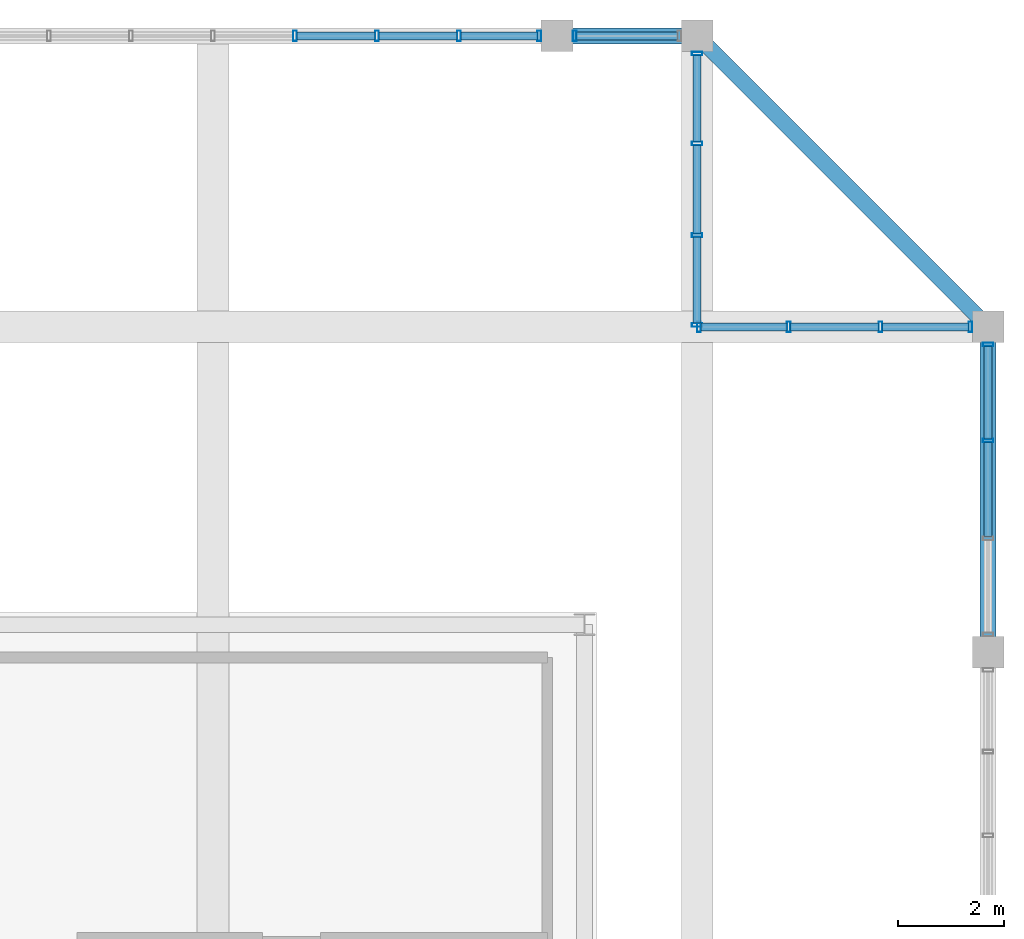
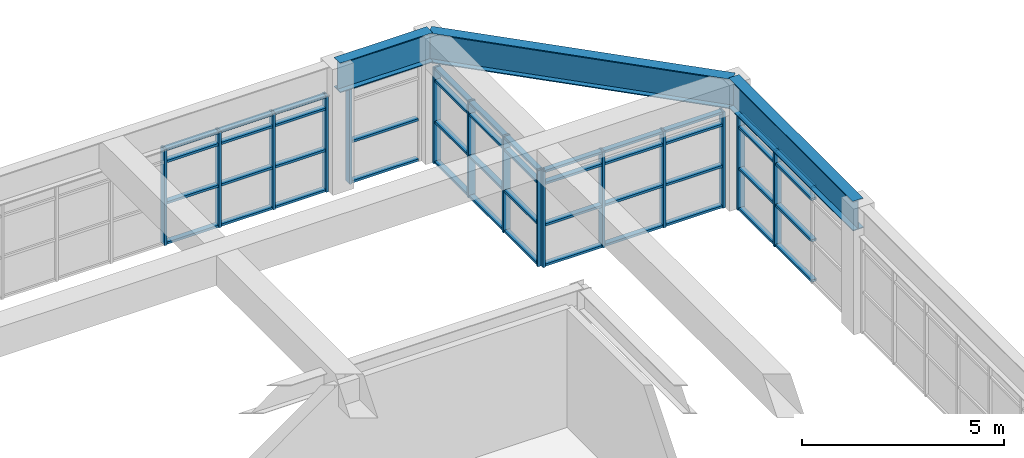
# One storey, part 21 of 28: 61 members, 3 beams, 5 elements without a shape of their own.
"""IFC4 building model written with IfcOpenShell, lengths in metres."""

import ifcopenshell
import ifcopenshell.guid

model = None  # the IFC model being written
_history = None  # IfcOwnerHistory: only IFC2X3 demands one
_inside = {}  # id of a spatial element -> (the spatial element, [elements in it])
_under = {}  # id of a project, library or spatial element -> (it, [spatial elements below it])
_declared = {}  # id of a project -> (the project, [libraries it declares])
_typed = {}  # id of a type object -> (the type object, [elements of that type])
_made_of = {}  # id of a material, layer set ... -> (it, [elements and type objects made of it])


def new_model(schema):
    """Start an empty IFC model of exactly this schema.

    Asked for "IFC4X3", IfcOpenShell would pick the latest addendum, in which some entities
    have other attributes; the version numbers below select the first issue.
    IFC2X3 requires an IfcOwnerHistory on every rooted entity: one is made here for all.
    """
    global model, _history
    if schema == "IFC4X3":
        model = ifcopenshell.file(schema_version=(4, 3, 0, 0))
    else:
        model = ifcopenshell.file(schema=schema)
    _inside.clear()
    _under.clear()
    _declared.clear()
    _typed.clear()
    _made_of.clear()
    _history = None
    if model.schema == "IFC2X3":
        org = make("IfcOrganization", Name="unknown")
        user = make(
            "IfcPersonAndOrganization",
            ThePerson=make("IfcPerson", FamilyName="unknown"),
            TheOrganization=org,
        )
        app = make(
            "IfcApplication",
            ApplicationDeveloper=org,
            Version="unknown",
            ApplicationFullName="unknown",
            ApplicationIdentifier="unknown",
        )
        _history = make(
            "IfcOwnerHistory",
            OwningUser=user,
            OwningApplication=app,
            ChangeAction="ADDED",
            CreationDate=0,
        )
    return model


def make(cls, **values):
    """One entity of the class cls with the attributes given. An attribute that is None is left unset."""
    return model.create_entity(
        cls, **{name: value for name, value in values.items() if value is not None}
    )


def rooted(cls, **values):
    """An entity with a GlobalId (a new one), such as an element, a storey or a relation."""
    return make(cls, GlobalId=ifcopenshell.guid.new(), OwnerHistory=_history, **values)


def si_unit(unit_type, name, prefix=None):
    """IfcSIUnit, for example si_unit("LENGTHUNIT", "METRE", prefix="MILLI")."""
    return make("IfcSIUnit", UnitType=unit_type, Prefix=prefix, Name=name)


def assignment(units):
    """IfcUnitAssignment: the units of a project."""
    return None if units is None else make("IfcUnitAssignment", Units=units)


def point(xyz):
    """IfcCartesianPoint."""
    return None if xyz is None else make("IfcCartesianPoint", Coordinates=xyz)


def direction(xyz):
    """IfcDirection."""
    return None if xyz is None else make("IfcDirection", DirectionRatios=xyz)


def frame(location, z_axis=None, x_axis=None):
    """IfcAxis2Placement3D, a coordinate frame: its origin and axes. An axis left out is left unset."""
    return make(
        "IfcAxis2Placement3D",
        Location=point(location),
        Axis=direction(z_axis),
        RefDirection=direction(x_axis),
    )


def frame_2d(location, x_axis=None):
    """IfcAxis2Placement2D, a coordinate frame in the plane: its origin and x axis."""
    return make(
        "IfcAxis2Placement2D", Location=point(location), RefDirection=direction(x_axis)
    )


def origin():
    """The frame at (0, 0, 0) with its axes left unset."""
    return frame((0.0, 0.0, 0.0))


def origin_2d():
    """The frame at (0, 0) in the plane with its x axis left unset."""
    return frame_2d((0.0, 0.0))


def place(relative_to, where):
    """IfcLocalPlacement: puts the frame where relative to a parent placement (None: the world)."""
    return make(
        "IfcLocalPlacement", PlacementRelTo=relative_to, RelativePlacement=where
    )


def context(
    kind, dimensions, precision=None, world=None, true_north=None, identifier=None
):
    """IfcGeometricRepresentationContext, for example the 3D "Model" context."""
    return make(
        "IfcGeometricRepresentationContext",
        ContextIdentifier=identifier,
        ContextType=kind,
        CoordinateSpaceDimension=dimensions,
        Precision=precision,
        WorldCoordinateSystem=world,
        TrueNorth=true_north,
    )


def subcontext(parent, identifier, kind, view, scale=None):
    """IfcGeometricRepresentationSubContext, for example "Body" below "Model"."""
    return make(
        "IfcGeometricRepresentationSubContext",
        ContextIdentifier=identifier,
        ContextType=kind,
        ParentContext=parent,
        TargetScale=scale,
        TargetView=view,
    )


def project(units=None, contexts=None):
    """IfcProject with its units and contexts."""
    return rooted(
        "IfcProject",
        Name="project",
        RepresentationContexts=contexts,
        UnitsInContext=assignment(units),
    )


def spatial(cls, under=None, at=None, **own):
    """A site, building, storey or space (cls), placed at a placement, below another one or the project."""
    s = rooted(cls, ObjectPlacement=at, **own)
    if under is not None:
        _under.setdefault(under.id(), (under, []))[1].append(s)
    return s


def profile(cls, at=None, kind="AREA", **sizes):
    """A parametric profile (cls). Its sizes go by their IFC names, for example OverallWidth=200.0."""
    return make(cls, ProfileType=kind, Position=at, **sizes)


def hollow_rectangle(**sizes):
    """IfcRectangleHollowProfileDef."""
    return profile("IfcRectangleHollowProfileDef", **sizes)


def i_section(**sizes):
    """IfcIShapeProfileDef."""
    return profile("IfcIShapeProfileDef", **sizes)


def extrude(swept, where, along, depth):
    """IfcExtrudedAreaSolid: the profile swept, set in the frame where, extruded along a direction by depth."""
    return make(
        "IfcExtrudedAreaSolid",
        SweptArea=swept,
        Position=where,
        ExtrudedDirection=direction(along),
        Depth=depth,
    )


def shape(context_of_items, identifier, shape_type, items):
    """IfcShapeRepresentation: the items that make up one representation, for example the "Body"."""
    return make(
        "IfcShapeRepresentation",
        ContextOfItems=context_of_items,
        RepresentationIdentifier=identifier,
        RepresentationType=shape_type,
        Items=items,
    )


def source(mapping_origin, context_of_items, identifier, shape_type, items):
    """IfcRepresentationMap: a shape defined once, which mapped items show again and again."""
    return make(
        "IfcRepresentationMap",
        MappingOrigin=mapping_origin,
        MappedRepresentation=shape(context_of_items, identifier, shape_type, items),
    )


def transform(
    local_origin,
    x_axis=None,
    y_axis=None,
    z_axis=None,
    scale=None,
    scale2=None,
    scale3=None,
    uniform=True,
):
    """IfcCartesianTransformationOperator3D, or its non-uniform kind. x_axis, y_axis, z_axis: its Axis1, 2, 3."""
    if uniform:
        return make(
            "IfcCartesianTransformationOperator3D",
            Axis1=direction(x_axis),
            Axis2=direction(y_axis),
            LocalOrigin=point(local_origin),
            Scale=scale,
            Axis3=direction(z_axis),
        )
    return make(
        "IfcCartesianTransformationOperator3DnonUniform",
        Axis1=direction(x_axis),
        Axis2=direction(y_axis),
        LocalOrigin=point(local_origin),
        Scale=scale,
        Axis3=direction(z_axis),
        Scale2=scale2,
        Scale3=scale3,
    )


def mapped(mapping_source, mapping_target):
    """IfcMappedItem: shows the shape of a source again, moved by a transform."""
    return make(
        "IfcMappedItem", MappingSource=mapping_source, MappingTarget=mapping_target
    )


def material(Name=None, Category=None):
    """IfcMaterial."""
    return make("IfcMaterial", Name=Name, Category=Category)


def layer(
    of_material, thickness, ventilated=None, Name=None, Category=None, Priority=None
):
    """IfcMaterialLayer: one layer of a wall or slab, of a material (None: an air gap)."""
    return make(
        "IfcMaterialLayer",
        Material=of_material,
        LayerThickness=thickness,
        IsVentilated=ventilated,
        Name=Name,
        Category=Category,
        Priority=Priority,
    )


def layer_set(layers, Name=None):
    """IfcMaterialLayerSet."""
    return make("IfcMaterialLayerSet", MaterialLayers=layers, LayerSetName=Name)


def material_profile(
    of_material, cross_section, Name=None, Category=None, Priority=None
):
    """IfcMaterialProfile: a cross section and its material."""
    return make(
        "IfcMaterialProfile",
        Name=Name,
        Material=of_material,
        Profile=cross_section,
        Priority=Priority,
        Category=Category,
    )


def profile_set(profiles, Name=None, composite=None):
    """IfcMaterialProfileSet."""
    return make(
        "IfcMaterialProfileSet",
        Name=Name,
        MaterialProfiles=profiles,
        CompositeProfile=composite,
    )


def made_of(thing, what):
    """Note that an element or type object is made of a material, layer set ...; save() writes the relation."""
    if what is not None:
        _made_of.setdefault(what.id(), (what, []))[1].append(thing)
    return thing


def type_object(cls, material=None, **own):
    """A type object (cls), such as IfcWallType, which elements share."""
    return made_of(rooted(cls, **own), material)


def element(
    cls,
    number,
    at=None,
    inside=None,
    cuts=None,
    type_object=None,
    material=None,
    context=None,
    identifier="Body",
    shape_type=None,
    held_by="IfcProductDefinitionShape",
    body=None,
    shapes=None,
    **own,
):
    """One element of the class cls, such as IfcWall. Its Tag is "e" and its number.

    at: its placement. inside: the storey or other place that contains it. cuts: it is an
    opening in that element (IfcRelVoidsElement). A single representation is given by context,
    identifier, shape_type and body (its items); several are given by shapes. held_by: the class
    of the entity that holds the representations. save() writes the other relations.
    """
    e = rooted(cls, Tag="e%d" % number, ObjectPlacement=at, **own)
    if body is not None:
        shapes = [shape(context, identifier, shape_type, body)]
    if shapes is not None:
        e.Representation = make(held_by, Representations=shapes)
    if inside is not None:
        _inside.setdefault(inside.id(), (inside, []))[1].append(e)
    if cuts is not None:
        rooted(
            "IfcRelVoidsElement", RelatingBuildingElement=cuts, RelatedOpeningElement=e
        )
    if type_object is not None:
        _typed.setdefault(type_object.id(), (type_object, []))[1].append(e)
    return made_of(e, material)


def aggregate(whole, parts):
    """IfcRelAggregates: a whole, such as a stair, and the parts it consists of."""
    return rooted("IfcRelAggregates", RelatingObject=whole, RelatedObjects=parts)


def save(model, path):
    """Write the relations noted so far, then the file.

    IfcRelAggregates (storeys below a building ...), IfcRelContainedInSpatialStructure (elements
    in a storey), IfcRelDefinesByType, IfcRelAssociatesMaterial and IfcRelDeclares: one each for
    every whole, place, type object, material and project.
    """
    for whole, parts in _under.values():
        aggregate(whole, parts)
    for where, things in _inside.values():
        rooted(
            "IfcRelContainedInSpatialStructure",
            RelatedElements=things,
            RelatingStructure=where,
        )
    for kind, things in _typed.values():
        rooted("IfcRelDefinesByType", RelatedObjects=things, RelatingType=kind)
    for what, things in _made_of.values():
        rooted("IfcRelAssociatesMaterial", RelatedObjects=things, RelatingMaterial=what)
    for by, libraries in _declared.values():
        rooted("IfcRelDeclares", RelatingContext=by, RelatedDefinitions=libraries)
    model.write(path)


model = new_model("IFC4")

# Units and contexts
model_context = context("Model", 3, precision=1e-05, world=origin(), true_north=direction((0.0, 1.0)))
body_context = subcontext(model_context, "Body", "Model", "MODEL_VIEW")
ifc_project = project(units=[si_unit("LENGTHUNIT", "METRE"), si_unit("AREAUNIT", "SQUARE_METRE"), si_unit("VOLUMEUNIT", "CUBIC_METRE"), si_unit("PLANEANGLEUNIT", "RADIAN"), si_unit("MASSUNIT", "GRAM", prefix="KILO")], contexts=[model_context])

# Site, building, storey
site_placement = place(None, origin())
site = spatial("IfcSite", under=ifc_project, at=site_placement, CompositionType="ELEMENT")
building_placement = place(site_placement, origin())
building = spatial("IfcBuilding", under=site, at=building_placement, Name="Saelheon Loggia Tower", CompositionType="ELEMENT")
storey_placement = place(building_placement, frame((0.0, 0.0, 271.199951171875)))
storey = spatial("IfcBuildingStorey", under=building, at=storey_placement, Name="CR6", CompositionType="ELEMENT", Elevation=271.199951171875)

# Beams
ifc_material_1 = material(Name="Steel SM355", Category="steel")
ifc_material_profile_1 = material_profile(ifc_material_1, i_section(OverallWidth=0.300048828125, OverallDepth=0.89990234375, WebThickness=0.01611328125, FlangeThickness=0.028076171875, at=origin_2d()), Name="H-900x300x16x28")
ifc_profile_set_1 = profile_set([ifc_material_profile_1], Name="Steel SM355")
beam_type = type_object("IfcBeamType", Name="Beam_PoolGirder_Steel_H900", PredefinedType="BEAM", material=ifc_profile_set_1)
shared_shape_1 = source(origin(), body_context, "Body", "SweptSolid", [
    extrude(i_section(OverallWidth=0.300048828125, OverallDepth=0.89990234375, WebThickness=0.01611328125, FlangeThickness=0.028076171875, at=origin_2d()), origin(), (0.0, 0.0, 1.0), 2.64990234375),
])
beam_1_placement = place(storey_placement, frame((47.14990234375, 47.64990234375, 3.35009765625), z_axis=(-1.0, 0.0, 0.0), x_axis=(0.0, -1.0, 0.0)))
element("IfcBeam", 1, at=beam_1_placement, inside=storey, type_object=beam_type, Name="CR6 CROWN FRAME Sill Girder 09", PredefinedType="BEAM", context=body_context, shape_type="MappedRepresentation", body=[
    mapped(shared_shape_1, transform((0.0, 0.0, 0.0), scale=1.0)),
])
shared_shape_2 = source(origin(), body_context, "Body", "SweptSolid", [
    extrude(i_section(OverallWidth=0.300048828125, OverallDepth=0.89990234375, WebThickness=0.01611328125, FlangeThickness=0.028076171875, at=origin_2d()), origin(), (0.0, 0.0, 1.0), 7.778076171875),
])
beam_2_placement = place(storey_placement, frame((52.64990234375, 42.14990234375, 3.35009765625), z_axis=(-0.707106781187, 0.707106781187, 0.0), x_axis=(-0.707106781187, -0.707106781187, 0.0)))
element("IfcBeam", 2, at=beam_2_placement, inside=storey, type_object=beam_type, Name="CR6 CROWN FRAME Sill Girder 08", PredefinedType="BEAM", context=body_context, shape_type="MappedRepresentation", body=[
    mapped(shared_shape_2, transform((0.0, 0.0, 0.0), scale=1.0)),
])
shared_shape_3 = source(origin(), body_context, "Body", "SweptSolid", [
    extrude(i_section(OverallWidth=0.300048828125, OverallDepth=0.89990234375, WebThickness=0.01611328125, FlangeThickness=0.028076171875, at=origin_2d()), origin(), (0.0, 0.0, 1.0), 6.14990234375),
])
beam_3_placement = place(storey_placement, frame((52.64990234375, 36.0, 3.35009765625), z_axis=(0.0, 1.0, 0.0), x_axis=(-1.0, 0.0, 0.0)))
element("IfcBeam", 3, at=beam_3_placement, inside=storey, type_object=beam_type, Name="CR6 CROWN FRAME Sill Girder 07", PredefinedType="BEAM", context=body_context, shape_type="MappedRepresentation", body=[
    mapped(shared_shape_3, transform((0.0, 0.0, 0.0), scale=1.0)),
])

# Curtain wall, members
ifc_material_2 = material(Name="Bronze-Anodised Aluminium and Fritted Ceramic Screen", Category="aluminium")
ifc_layer = layer(ifc_material_2, 0.219970703125)
ifc_layer_set = layer_set([ifc_layer], Name="Bronze-Anodised Aluminium and Fritted Ceramic Screen")
curtain_wall_type = type_object("IfcCurtainWallType", Name="CW_CrownScreen", PredefinedType="NOTDEFINED", material=ifc_layer_set)
curtain_wall_1_placement = place(storey_placement, origin())
curtain_wall_1 = element("IfcCurtainWall", 4, at=curtain_wall_1_placement, inside=storey, type_object=curtain_wall_type, Name="CR6 Crown Screen Curtain Wall 3-3", PredefinedType="NOTDEFINED")
ifc_material_3 = material(Name="Bronze-Anodised Aluminium 6063-T6", Category="aluminium")
ifc_material_profile_2 = material_profile(ifc_material_3, hollow_rectangle(XDim=0.070068359375, YDim=0.199951171875, WallThickness=0.0048828125, at=origin_2d()), Name="RHS-200x70x5")
ifc_profile_set_2 = profile_set([ifc_material_profile_2], Name="Bronze-Anodised Aluminium 6063-T6")
member_type_1 = type_object("IfcMemberType", Name="CW_CrownScreen_Mullion", PredefinedType="MULLION", material=ifc_profile_set_2)
shared_shape_4 = source(origin(), body_context, "Body", "SweptSolid", [
    extrude(hollow_rectangle(XDim=0.070068359375, YDim=0.199951171875, WallThickness=0.0048828125, at=origin_2d()), origin(), (0.0, 0.0, 1.0), 2.900146484375),
])
member_1_placement = place(storey_placement, frame((52.64990234375, 40.0, 0.0), z_axis=(0.0, 0.0, 1.0), x_axis=(0.0, 1.0, 0.0)))
member_1 = element("IfcMember", 5, at=member_1_placement, type_object=member_type_1, Name="CW6 mullion 3", PredefinedType="MULLION", context=body_context, shape_type="MappedRepresentation", body=[
    mapped(shared_shape_4, transform((0.0, 0.0, 0.0), scale=1.0)),
])
member_2_placement = place(storey_placement, frame((52.64990234375, 41.81494140625, 0.0), z_axis=(0.0, 0.0, 1.0), x_axis=(0.0, 1.0, 0.0)))
member_2 = element("IfcMember", 6, at=member_2_placement, type_object=member_type_1, Name="CW6 mullion 4", PredefinedType="MULLION", context=body_context, shape_type="MappedRepresentation", body=[
    mapped(shared_shape_4, transform((0.0, 0.0, 0.0), scale=1.0)),
])

curtain_wall_2_placement = place(storey_placement, origin())
curtain_wall_2 = element("IfcCurtainWall", 7, at=curtain_wall_2_placement, inside=storey, type_object=curtain_wall_type, Name="CR6 Crown Screen Curtain Wall 4-1", PredefinedType="NOTDEFINED")
member_3_placement = place(storey_placement, frame((52.31494140625, 42.14990234375, 0.0), z_axis=(0.0, 0.0, 1.0), x_axis=(-1.0, 0.0, 0.0)))
member_3 = element("IfcMember", 8, at=member_3_placement, type_object=member_type_1, Name="CW6 mullion 1", PredefinedType="MULLION", context=body_context, shape_type="MappedRepresentation", body=[
    mapped(shared_shape_4, transform((0.0, 0.0, 0.0), scale=1.0)),
])
member_4_placement = place(storey_placement, frame((50.61669921875, 42.14990234375, 0.0), z_axis=(0.0, 0.0, 1.0), x_axis=(-1.0, 0.0, 0.0)))
member_4 = element("IfcMember", 9, at=member_4_placement, type_object=member_type_1, Name="CW6 mullion 2", PredefinedType="MULLION", context=body_context, shape_type="MappedRepresentation", body=[
    mapped(shared_shape_4, transform((0.0, 0.0, 0.0), scale=1.0)),
])
member_5_placement = place(storey_placement, frame((48.88330078125, 42.14990234375, 0.0), z_axis=(0.0, 0.0, 1.0), x_axis=(-1.0, 0.0, 0.0)))
member_5 = element("IfcMember", 10, at=member_5_placement, type_object=member_type_1, Name="CW6 mullion 3", PredefinedType="MULLION", context=body_context, shape_type="MappedRepresentation", body=[
    mapped(shared_shape_4, transform((0.0, 0.0, 0.0), scale=1.0)),
])
member_6_placement = place(storey_placement, frame((47.18505859375, 42.14990234375, 0.0), z_axis=(0.0, 0.0, 1.0), x_axis=(-1.0, 0.0, 0.0)))
member_6 = element("IfcMember", 11, at=member_6_placement, type_object=member_type_1, Name="CW6 mullion 4", PredefinedType="MULLION", context=body_context, shape_type="MappedRepresentation", body=[
    mapped(shared_shape_4, transform((0.0, 0.0, 0.0), scale=1.0)),
])

curtain_wall_3_placement = place(storey_placement, origin())
curtain_wall_3 = element("IfcCurtainWall", 12, at=curtain_wall_3_placement, inside=storey, type_object=curtain_wall_type, Name="CR6 Crown Screen Curtain Wall 5-1", PredefinedType="NOTDEFINED")
member_7_placement = place(storey_placement, frame((47.14990234375, 42.18505859375, 0.0), z_axis=(0.0, 0.0, 1.0), x_axis=(0.0, 1.0, 0.0)))
member_7 = element("IfcMember", 13, at=member_7_placement, type_object=member_type_1, Name="CW6 mullion 1", PredefinedType="MULLION", context=body_context, shape_type="MappedRepresentation", body=[
    mapped(shared_shape_4, transform((0.0, 0.0, 0.0), scale=1.0)),
])
member_8_placement = place(storey_placement, frame((47.14990234375, 43.88330078125, 0.0), z_axis=(0.0, 0.0, 1.0), x_axis=(0.0, 1.0, 0.0)))
member_8 = element("IfcMember", 14, at=member_8_placement, type_object=member_type_1, Name="CW6 mullion 2", PredefinedType="MULLION", context=body_context, shape_type="MappedRepresentation", body=[
    mapped(shared_shape_4, transform((0.0, 0.0, 0.0), scale=1.0)),
])
member_9_placement = place(storey_placement, frame((47.14990234375, 45.61669921875, 0.0), z_axis=(0.0, 0.0, 1.0), x_axis=(0.0, 1.0, 0.0)))
member_9 = element("IfcMember", 15, at=member_9_placement, type_object=member_type_1, Name="CW6 mullion 3", PredefinedType="MULLION", context=body_context, shape_type="MappedRepresentation", body=[
    mapped(shared_shape_4, transform((0.0, 0.0, 0.0), scale=1.0)),
])
member_10_placement = place(storey_placement, frame((47.14990234375, 47.31494140625, 0.0), z_axis=(0.0, 0.0, 1.0), x_axis=(0.0, 1.0, 0.0)))
member_10 = element("IfcMember", 16, at=member_10_placement, type_object=member_type_1, Name="CW6 mullion 4", PredefinedType="MULLION", context=body_context, shape_type="MappedRepresentation", body=[
    mapped(shared_shape_4, transform((0.0, 0.0, 0.0), scale=1.0)),
])

# Curtain wall, member
curtain_wall_4_placement = place(storey_placement, origin())
curtain_wall_4 = element("IfcCurtainWall", 17, at=curtain_wall_4_placement, inside=storey, type_object=curtain_wall_type, Name="CR6 Crown Screen Curtain Wall 6-1", PredefinedType="NOTDEFINED")
member_11_placement = place(storey_placement, frame((44.8349609375, 47.64990234375, 0.0), z_axis=(0.0, 0.0, 1.0), x_axis=(-1.0, 0.0, 0.0)))
member_11 = element("IfcMember", 18, at=member_11_placement, type_object=member_type_1, Name="CW6 mullion 2", PredefinedType="MULLION", context=body_context, shape_type="MappedRepresentation", body=[
    mapped(shared_shape_4, transform((0.0, 0.0, 0.0), scale=1.0)),
])

# Curtain wall, members
curtain_wall_5_placement = place(storey_placement, origin())
curtain_wall_5 = element("IfcCurtainWall", 19, at=curtain_wall_5_placement, inside=storey, type_object=curtain_wall_type, Name="CR6 Crown Screen Curtain Wall 6-2", PredefinedType="NOTDEFINED")
member_12_placement = place(storey_placement, frame((44.1650390625, 47.64990234375, 0.0), z_axis=(0.0, 0.0, 1.0), x_axis=(-1.0, 0.0, 0.0)))
member_12 = element("IfcMember", 20, at=member_12_placement, type_object=member_type_1, Name="CW6 mullion 1", PredefinedType="MULLION", context=body_context, shape_type="MappedRepresentation", body=[
    mapped(shared_shape_4, transform((0.0, 0.0, 0.0), scale=1.0)),
])
member_13_placement = place(storey_placement, frame((42.64990234375, 47.64990234375, 0.0), z_axis=(0.0, 0.0, 1.0), x_axis=(-1.0, 0.0, 0.0)))
member_13 = element("IfcMember", 21, at=member_13_placement, type_object=member_type_1, Name="CW6 mullion 2", PredefinedType="MULLION", context=body_context, shape_type="MappedRepresentation", body=[
    mapped(shared_shape_4, transform((0.0, 0.0, 0.0), scale=1.0)),
])
member_14_placement = place(storey_placement, frame((41.10009765625, 47.64990234375, 0.0), z_axis=(0.0, 0.0, 1.0), x_axis=(-1.0, 0.0, 0.0)))
member_14 = element("IfcMember", 22, at=member_14_placement, type_object=member_type_1, Name="CW6 mullion 3", PredefinedType="MULLION", context=body_context, shape_type="MappedRepresentation", body=[
    mapped(shared_shape_4, transform((0.0, 0.0, 0.0), scale=1.0)),
])
member_15_placement = place(storey_placement, frame((39.550048828125, 47.64990234375, 0.0), z_axis=(0.0, 0.0, 1.0), x_axis=(-1.0, 0.0, 0.0)))
member_15 = element("IfcMember", 23, at=member_15_placement, type_object=member_type_1, Name="CW6 mullion 4", PredefinedType="MULLION", context=body_context, shape_type="MappedRepresentation", body=[
    mapped(shared_shape_4, transform((0.0, 0.0, 0.0), scale=1.0)),
])

# Member
ifc_material_profile_3 = material_profile(ifc_material_3, hollow_rectangle(XDim=0.070068359375, YDim=0.14990234375, WallThickness=0.0048828125, at=origin_2d()), Name="RHS-150x70x5")
ifc_profile_set_3 = profile_set([ifc_material_profile_3], Name="Bronze-Anodised Aluminium 6063-T6")
member_type_2 = type_object("IfcMemberType", Name="CW_CrownScreen_Transom", PredefinedType="USERDEFINED", material=ifc_profile_set_3)
shared_shape_5 = source(origin(), body_context, "Body", "SweptSolid", [
    extrude(hollow_rectangle(XDim=0.070068359375, YDim=0.14990234375, WallThickness=0.0048828125, at=origin_2d()), origin(), (0.0, 0.0, 1.0), 1.909912109375),
])
member_16_placement = place(storey_placement, frame((46.780029296875, 47.64990234375, 0.03515625), z_axis=(-1.0, 0.0, 0.0), x_axis=(0.0, 0.0, 1.0)))
member_16 = element("IfcMember", 24, at=member_16_placement, type_object=member_type_2, Name="CW6 transom 1.1", ObjectType="TRANSOM", PredefinedType="USERDEFINED", context=body_context, shape_type="MappedRepresentation", body=[
    mapped(shared_shape_5, transform((0.0, 0.0, 0.0), scale=1.0)),
])

member_17_placement = place(storey_placement, frame((46.780029296875, 47.64990234375, 1.25), z_axis=(-1.0, 0.0, 0.0), x_axis=(0.0, 0.0, 1.0)))
member_17 = element("IfcMember", 25, at=member_17_placement, type_object=member_type_2, Name="CW6 transom 1.2", ObjectType="TRANSOM", PredefinedType="USERDEFINED", context=body_context, shape_type="MappedRepresentation", body=[
    mapped(shared_shape_5, transform((0.0, 0.0, 0.0), scale=1.0)),
])

aggregate(curtain_wall_4, [member_11, member_16, member_17])

shared_shape_6 = source(origin(), body_context, "Body", "SweptSolid", [
    extrude(hollow_rectangle(XDim=0.070068359375, YDim=0.14990234375, WallThickness=0.0048828125, at=origin_2d()), origin(), (0.0, 0.0, 1.0), 1.44482421875),
])
member_18_placement = place(storey_placement, frame((44.1298828125, 47.64990234375, 0.03515625), z_axis=(-1.0, 0.0, 0.0), x_axis=(0.0, 0.0, 1.0)))
member_18 = element("IfcMember", 26, at=member_18_placement, type_object=member_type_2, Name="CW6 transom 1.1", ObjectType="TRANSOM", PredefinedType="USERDEFINED", context=body_context, shape_type="MappedRepresentation", body=[
    mapped(shared_shape_6, transform((0.0, 0.0, 0.0), scale=1.0)),
])

member_19_placement = place(storey_placement, frame((44.1298828125, 47.64990234375, 1.25), z_axis=(-1.0, 0.0, 0.0), x_axis=(0.0, 0.0, 1.0)))
member_19 = element("IfcMember", 27, at=member_19_placement, type_object=member_type_2, Name="CW6 transom 1.2", ObjectType="TRANSOM", PredefinedType="USERDEFINED", context=body_context, shape_type="MappedRepresentation", body=[
    mapped(shared_shape_6, transform((0.0, 0.0, 0.0), scale=1.0)),
])

member_20_placement = place(storey_placement, frame((44.1298828125, 47.64990234375, 2.5), z_axis=(-1.0, 0.0, 0.0), x_axis=(0.0, 0.0, 1.0)))
member_20 = element("IfcMember", 28, at=member_20_placement, type_object=member_type_2, Name="CW6 transom 1.3", ObjectType="TRANSOM", PredefinedType="USERDEFINED", context=body_context, shape_type="MappedRepresentation", body=[
    mapped(shared_shape_6, transform((0.0, 0.0, 0.0), scale=1.0)),
])

member_21_placement = place(storey_placement, frame((44.1298828125, 47.64990234375, 2.864990234375), z_axis=(-1.0, 0.0, 0.0), x_axis=(0.0, 0.0, 1.0)))
member_21 = element("IfcMember", 29, at=member_21_placement, type_object=member_type_2, Name="CW6 transom 1.4", ObjectType="TRANSOM", PredefinedType="USERDEFINED", context=body_context, shape_type="MappedRepresentation", body=[
    mapped(shared_shape_6, transform((0.0, 0.0, 0.0), scale=1.0)),
])

shared_shape_7 = source(origin(), body_context, "Body", "SweptSolid", [
    extrude(hollow_rectangle(XDim=0.070068359375, YDim=0.14990234375, WallThickness=0.0048828125, at=origin_2d()), origin(), (0.0, 0.0, 1.0), 1.47998046875),
])
member_22_placement = place(storey_placement, frame((42.614990234375, 47.64990234375, 0.03515625), z_axis=(-1.0, 0.0, 0.0), x_axis=(0.0, 0.0, 1.0)))
member_22 = element("IfcMember", 30, at=member_22_placement, type_object=member_type_2, Name="CW6 transom 2.1", ObjectType="TRANSOM", PredefinedType="USERDEFINED", context=body_context, shape_type="MappedRepresentation", body=[
    mapped(shared_shape_7, transform((0.0, 0.0, 0.0), scale=1.0)),
])

member_23_placement = place(storey_placement, frame((42.614990234375, 47.64990234375, 1.25), z_axis=(-1.0, 0.0, 0.0), x_axis=(0.0, 0.0, 1.0)))
member_23 = element("IfcMember", 31, at=member_23_placement, type_object=member_type_2, Name="CW6 transom 2.2", ObjectType="TRANSOM", PredefinedType="USERDEFINED", context=body_context, shape_type="MappedRepresentation", body=[
    mapped(shared_shape_7, transform((0.0, 0.0, 0.0), scale=1.0)),
])

member_24_placement = place(storey_placement, frame((42.614990234375, 47.64990234375, 2.5), z_axis=(-1.0, 0.0, 0.0), x_axis=(0.0, 0.0, 1.0)))
member_24 = element("IfcMember", 32, at=member_24_placement, type_object=member_type_2, Name="CW6 transom 2.3", ObjectType="TRANSOM", PredefinedType="USERDEFINED", context=body_context, shape_type="MappedRepresentation", body=[
    mapped(shared_shape_7, transform((0.0, 0.0, 0.0), scale=1.0)),
])

member_25_placement = place(storey_placement, frame((42.614990234375, 47.64990234375, 2.864990234375), z_axis=(-1.0, 0.0, 0.0), x_axis=(0.0, 0.0, 1.0)))
member_25 = element("IfcMember", 33, at=member_25_placement, type_object=member_type_2, Name="CW6 transom 2.4", ObjectType="TRANSOM", PredefinedType="USERDEFINED", context=body_context, shape_type="MappedRepresentation", body=[
    mapped(shared_shape_7, transform((0.0, 0.0, 0.0), scale=1.0)),
])

member_26_placement = place(storey_placement, frame((41.06494140625, 47.64990234375, 0.03515625), z_axis=(-1.0, 0.0, 0.0), x_axis=(0.0, 0.0, 1.0)))
member_26 = element("IfcMember", 34, at=member_26_placement, type_object=member_type_2, Name="CW6 transom 3.1", ObjectType="TRANSOM", PredefinedType="USERDEFINED", context=body_context, shape_type="MappedRepresentation", body=[
    mapped(shared_shape_7, transform((0.0, 0.0, 0.0), scale=1.0)),
])

member_27_placement = place(storey_placement, frame((41.06494140625, 47.64990234375, 1.25), z_axis=(-1.0, 0.0, 0.0), x_axis=(0.0, 0.0, 1.0)))
member_27 = element("IfcMember", 35, at=member_27_placement, type_object=member_type_2, Name="CW6 transom 3.2", ObjectType="TRANSOM", PredefinedType="USERDEFINED", context=body_context, shape_type="MappedRepresentation", body=[
    mapped(shared_shape_7, transform((0.0, 0.0, 0.0), scale=1.0)),
])

member_28_placement = place(storey_placement, frame((41.06494140625, 47.64990234375, 2.5), z_axis=(-1.0, 0.0, 0.0), x_axis=(0.0, 0.0, 1.0)))
member_28 = element("IfcMember", 36, at=member_28_placement, type_object=member_type_2, Name="CW6 transom 3.3", ObjectType="TRANSOM", PredefinedType="USERDEFINED", context=body_context, shape_type="MappedRepresentation", body=[
    mapped(shared_shape_7, transform((0.0, 0.0, 0.0), scale=1.0)),
])

member_29_placement = place(storey_placement, frame((41.06494140625, 47.64990234375, 2.864990234375), z_axis=(-1.0, 0.0, 0.0), x_axis=(0.0, 0.0, 1.0)))
member_29 = element("IfcMember", 37, at=member_29_placement, type_object=member_type_2, Name="CW6 transom 3.4", ObjectType="TRANSOM", PredefinedType="USERDEFINED", context=body_context, shape_type="MappedRepresentation", body=[
    mapped(shared_shape_7, transform((0.0, 0.0, 0.0), scale=1.0)),
])

aggregate(curtain_wall_5, [member_12, member_13, member_14, member_15, member_18, member_19, member_20, member_21, member_22, member_23, member_24, member_25, member_26, member_27, member_28, member_29])

shared_shape_8 = source(origin(), body_context, "Body", "SweptSolid", [
    extrude(hollow_rectangle(XDim=0.070068359375, YDim=0.14990234375, WallThickness=0.0048828125, at=origin_2d()), origin(), (0.0, 0.0, 1.0), 1.62841796875),
])
member_30_placement = place(storey_placement, frame((52.280029296875, 42.14990234375, 0.03515625), z_axis=(-1.0, 0.0, 0.0), x_axis=(0.0, 0.0, 1.0)))
member_30 = element("IfcMember", 38, at=member_30_placement, type_object=member_type_2, Name="CW6 transom 1.1", ObjectType="TRANSOM", PredefinedType="USERDEFINED", context=body_context, shape_type="MappedRepresentation", body=[
    mapped(shared_shape_8, transform((0.0, 0.0, 0.0), scale=1.0)),
])

member_31_placement = place(storey_placement, frame((52.280029296875, 42.14990234375, 1.25), z_axis=(-1.0, 0.0, 0.0), x_axis=(0.0, 0.0, 1.0)))
member_31 = element("IfcMember", 39, at=member_31_placement, type_object=member_type_2, Name="CW6 transom 1.2", ObjectType="TRANSOM", PredefinedType="USERDEFINED", context=body_context, shape_type="MappedRepresentation", body=[
    mapped(shared_shape_8, transform((0.0, 0.0, 0.0), scale=1.0)),
])

member_32_placement = place(storey_placement, frame((52.280029296875, 42.14990234375, 2.5), z_axis=(-1.0, 0.0, 0.0), x_axis=(0.0, 0.0, 1.0)))
member_32 = element("IfcMember", 40, at=member_32_placement, type_object=member_type_2, Name="CW6 transom 1.3", ObjectType="TRANSOM", PredefinedType="USERDEFINED", context=body_context, shape_type="MappedRepresentation", body=[
    mapped(shared_shape_8, transform((0.0, 0.0, 0.0), scale=1.0)),
])

member_33_placement = place(storey_placement, frame((52.280029296875, 42.14990234375, 2.864990234375), z_axis=(-1.0, 0.0, 0.0), x_axis=(0.0, 0.0, 1.0)))
member_33 = element("IfcMember", 41, at=member_33_placement, type_object=member_type_2, Name="CW6 transom 1.4", ObjectType="TRANSOM", PredefinedType="USERDEFINED", context=body_context, shape_type="MappedRepresentation", body=[
    mapped(shared_shape_8, transform((0.0, 0.0, 0.0), scale=1.0)),
])

member_34_placement = place(storey_placement, frame((48.848388671875, 42.14990234375, 0.03515625), z_axis=(-1.0, 0.0, 0.0), x_axis=(0.0, 0.0, 1.0)))
member_34 = element("IfcMember", 42, at=member_34_placement, type_object=member_type_2, Name="CW6 transom 3.1", ObjectType="TRANSOM", PredefinedType="USERDEFINED", context=body_context, shape_type="MappedRepresentation", body=[
    mapped(shared_shape_8, transform((0.0, 0.0, 0.0), scale=1.0)),
])

member_35_placement = place(storey_placement, frame((48.848388671875, 42.14990234375, 1.25), z_axis=(-1.0, 0.0, 0.0), x_axis=(0.0, 0.0, 1.0)))
member_35 = element("IfcMember", 43, at=member_35_placement, type_object=member_type_2, Name="CW6 transom 3.2", ObjectType="TRANSOM", PredefinedType="USERDEFINED", context=body_context, shape_type="MappedRepresentation", body=[
    mapped(shared_shape_8, transform((0.0, 0.0, 0.0), scale=1.0)),
])

member_36_placement = place(storey_placement, frame((48.848388671875, 42.14990234375, 2.5), z_axis=(-1.0, 0.0, 0.0), x_axis=(0.0, 0.0, 1.0)))
member_36 = element("IfcMember", 44, at=member_36_placement, type_object=member_type_2, Name="CW6 transom 3.3", ObjectType="TRANSOM", PredefinedType="USERDEFINED", context=body_context, shape_type="MappedRepresentation", body=[
    mapped(shared_shape_8, transform((0.0, 0.0, 0.0), scale=1.0)),
])

member_37_placement = place(storey_placement, frame((48.848388671875, 42.14990234375, 2.864990234375), z_axis=(-1.0, 0.0, 0.0), x_axis=(0.0, 0.0, 1.0)))
member_37 = element("IfcMember", 45, at=member_37_placement, type_object=member_type_2, Name="CW6 transom 3.4", ObjectType="TRANSOM", PredefinedType="USERDEFINED", context=body_context, shape_type="MappedRepresentation", body=[
    mapped(shared_shape_8, transform((0.0, 0.0, 0.0), scale=1.0)),
])

member_38_placement = place(storey_placement, frame((47.14990234375, 42.219970703125, 0.03515625), z_axis=(0.0, 1.0, 0.0), x_axis=(0.0, 0.0, 1.0)))
member_38 = element("IfcMember", 46, at=member_38_placement, type_object=member_type_2, Name="CW6 transom 1.1", ObjectType="TRANSOM", PredefinedType="USERDEFINED", context=body_context, shape_type="MappedRepresentation", body=[
    mapped(shared_shape_8, transform((0.0, 0.0, 0.0), scale=1.0)),
])

member_39_placement = place(storey_placement, frame((47.14990234375, 42.219970703125, 1.25), z_axis=(0.0, 1.0, 0.0), x_axis=(0.0, 0.0, 1.0)))
member_39 = element("IfcMember", 47, at=member_39_placement, type_object=member_type_2, Name="CW6 transom 1.2", ObjectType="TRANSOM", PredefinedType="USERDEFINED", context=body_context, shape_type="MappedRepresentation", body=[
    mapped(shared_shape_8, transform((0.0, 0.0, 0.0), scale=1.0)),
])

member_40_placement = place(storey_placement, frame((47.14990234375, 42.219970703125, 2.5), z_axis=(0.0, 1.0, 0.0), x_axis=(0.0, 0.0, 1.0)))
member_40 = element("IfcMember", 48, at=member_40_placement, type_object=member_type_2, Name="CW6 transom 1.3", ObjectType="TRANSOM", PredefinedType="USERDEFINED", context=body_context, shape_type="MappedRepresentation", body=[
    mapped(shared_shape_8, transform((0.0, 0.0, 0.0), scale=1.0)),
])

member_41_placement = place(storey_placement, frame((47.14990234375, 42.219970703125, 2.864990234375), z_axis=(0.0, 1.0, 0.0), x_axis=(0.0, 0.0, 1.0)))
member_41 = element("IfcMember", 49, at=member_41_placement, type_object=member_type_2, Name="CW6 transom 1.4", ObjectType="TRANSOM", PredefinedType="USERDEFINED", context=body_context, shape_type="MappedRepresentation", body=[
    mapped(shared_shape_8, transform((0.0, 0.0, 0.0), scale=1.0)),
])

member_42_placement = place(storey_placement, frame((47.14990234375, 45.651611328125, 0.03515625), z_axis=(0.0, 1.0, 0.0), x_axis=(0.0, 0.0, 1.0)))
member_42 = element("IfcMember", 50, at=member_42_placement, type_object=member_type_2, Name="CW6 transom 3.1", ObjectType="TRANSOM", PredefinedType="USERDEFINED", context=body_context, shape_type="MappedRepresentation", body=[
    mapped(shared_shape_8, transform((0.0, 0.0, 0.0), scale=1.0)),
])

member_43_placement = place(storey_placement, frame((47.14990234375, 45.651611328125, 1.25), z_axis=(0.0, 1.0, 0.0), x_axis=(0.0, 0.0, 1.0)))
member_43 = element("IfcMember", 51, at=member_43_placement, type_object=member_type_2, Name="CW6 transom 3.2", ObjectType="TRANSOM", PredefinedType="USERDEFINED", context=body_context, shape_type="MappedRepresentation", body=[
    mapped(shared_shape_8, transform((0.0, 0.0, 0.0), scale=1.0)),
])

member_44_placement = place(storey_placement, frame((47.14990234375, 45.651611328125, 2.5), z_axis=(0.0, 1.0, 0.0), x_axis=(0.0, 0.0, 1.0)))
member_44 = element("IfcMember", 52, at=member_44_placement, type_object=member_type_2, Name="CW6 transom 3.3", ObjectType="TRANSOM", PredefinedType="USERDEFINED", context=body_context, shape_type="MappedRepresentation", body=[
    mapped(shared_shape_8, transform((0.0, 0.0, 0.0), scale=1.0)),
])

member_45_placement = place(storey_placement, frame((47.14990234375, 45.651611328125, 2.864990234375), z_axis=(0.0, 1.0, 0.0), x_axis=(0.0, 0.0, 1.0)))
member_45 = element("IfcMember", 53, at=member_45_placement, type_object=member_type_2, Name="CW6 transom 3.4", ObjectType="TRANSOM", PredefinedType="USERDEFINED", context=body_context, shape_type="MappedRepresentation", body=[
    mapped(shared_shape_8, transform((0.0, 0.0, 0.0), scale=1.0)),
])

shared_shape_9 = source(origin(), body_context, "Body", "SweptSolid", [
    extrude(hollow_rectangle(XDim=0.070068359375, YDim=0.14990234375, WallThickness=0.0048828125, at=origin_2d()), origin(), (0.0, 0.0, 1.0), 1.66357421875),
])
member_46_placement = place(storey_placement, frame((50.581787109375, 42.14990234375, 0.03515625), z_axis=(-1.0, 0.0, 0.0), x_axis=(0.0, 0.0, 1.0)))
member_46 = element("IfcMember", 54, at=member_46_placement, type_object=member_type_2, Name="CW6 transom 2.1", ObjectType="TRANSOM", PredefinedType="USERDEFINED", context=body_context, shape_type="MappedRepresentation", body=[
    mapped(shared_shape_9, transform((0.0, 0.0, 0.0), scale=1.0)),
])

member_47_placement = place(storey_placement, frame((50.581787109375, 42.14990234375, 1.25), z_axis=(-1.0, 0.0, 0.0), x_axis=(0.0, 0.0, 1.0)))
member_47 = element("IfcMember", 55, at=member_47_placement, type_object=member_type_2, Name="CW6 transom 2.2", ObjectType="TRANSOM", PredefinedType="USERDEFINED", context=body_context, shape_type="MappedRepresentation", body=[
    mapped(shared_shape_9, transform((0.0, 0.0, 0.0), scale=1.0)),
])

member_48_placement = place(storey_placement, frame((50.581787109375, 42.14990234375, 2.5), z_axis=(-1.0, 0.0, 0.0), x_axis=(0.0, 0.0, 1.0)))
member_48 = element("IfcMember", 56, at=member_48_placement, type_object=member_type_2, Name="CW6 transom 2.3", ObjectType="TRANSOM", PredefinedType="USERDEFINED", context=body_context, shape_type="MappedRepresentation", body=[
    mapped(shared_shape_9, transform((0.0, 0.0, 0.0), scale=1.0)),
])

member_49_placement = place(storey_placement, frame((50.581787109375, 42.14990234375, 2.864990234375), z_axis=(-1.0, 0.0, 0.0), x_axis=(0.0, 0.0, 1.0)))
member_49 = element("IfcMember", 57, at=member_49_placement, type_object=member_type_2, Name="CW6 transom 2.4", ObjectType="TRANSOM", PredefinedType="USERDEFINED", context=body_context, shape_type="MappedRepresentation", body=[
    mapped(shared_shape_9, transform((0.0, 0.0, 0.0), scale=1.0)),
])

aggregate(curtain_wall_2, [member_3, member_4, member_5, member_6, member_30, member_31, member_32, member_33, member_46, member_47, member_48, member_49, member_34, member_35, member_36, member_37])

member_50_placement = place(storey_placement, frame((47.14990234375, 43.918212890625, 0.03515625), z_axis=(0.0, 1.0, 0.0), x_axis=(0.0, 0.0, 1.0)))
member_50 = element("IfcMember", 58, at=member_50_placement, type_object=member_type_2, Name="CW6 transom 2.1", ObjectType="TRANSOM", PredefinedType="USERDEFINED", context=body_context, shape_type="MappedRepresentation", body=[
    mapped(shared_shape_9, transform((0.0, 0.0, 0.0), scale=1.0)),
])

member_51_placement = place(storey_placement, frame((47.14990234375, 43.918212890625, 1.25), z_axis=(0.0, 1.0, 0.0), x_axis=(0.0, 0.0, 1.0)))
member_51 = element("IfcMember", 59, at=member_51_placement, type_object=member_type_2, Name="CW6 transom 2.2", ObjectType="TRANSOM", PredefinedType="USERDEFINED", context=body_context, shape_type="MappedRepresentation", body=[
    mapped(shared_shape_9, transform((0.0, 0.0, 0.0), scale=1.0)),
])

member_52_placement = place(storey_placement, frame((47.14990234375, 43.918212890625, 2.5), z_axis=(0.0, 1.0, 0.0), x_axis=(0.0, 0.0, 1.0)))
member_52 = element("IfcMember", 60, at=member_52_placement, type_object=member_type_2, Name="CW6 transom 2.3", ObjectType="TRANSOM", PredefinedType="USERDEFINED", context=body_context, shape_type="MappedRepresentation", body=[
    mapped(shared_shape_9, transform((0.0, 0.0, 0.0), scale=1.0)),
])

member_53_placement = place(storey_placement, frame((47.14990234375, 43.918212890625, 2.864990234375), z_axis=(0.0, 1.0, 0.0), x_axis=(0.0, 0.0, 1.0)))
member_53 = element("IfcMember", 61, at=member_53_placement, type_object=member_type_2, Name="CW6 transom 2.4", ObjectType="TRANSOM", PredefinedType="USERDEFINED", context=body_context, shape_type="MappedRepresentation", body=[
    mapped(shared_shape_9, transform((0.0, 0.0, 0.0), scale=1.0)),
])

aggregate(curtain_wall_3, [member_7, member_8, member_9, member_10, member_38, member_39, member_40, member_41, member_50, member_51, member_52, member_53, member_42, member_43, member_44, member_45])

shared_shape_10 = source(origin(), body_context, "Body", "SweptSolid", [
    extrude(hollow_rectangle(XDim=0.070068359375, YDim=0.14990234375, WallThickness=0.0048828125, at=origin_2d()), origin(), (0.0, 0.0, 1.0), 1.7451171875),
])
member_54_placement = place(storey_placement, frame((52.64990234375, 40.034912109375, 0.03515625), z_axis=(0.0, 1.0, 0.0), x_axis=(0.0, 0.0, 1.0)))
member_54 = element("IfcMember", 62, at=member_54_placement, type_object=member_type_2, Name="CW6 transom 3.1", ObjectType="TRANSOM", PredefinedType="USERDEFINED", context=body_context, shape_type="MappedRepresentation", body=[
    mapped(shared_shape_10, transform((0.0, 0.0, 0.0), scale=1.0)),
])

member_55_placement = place(storey_placement, frame((52.64990234375, 40.034912109375, 1.25), z_axis=(0.0, 1.0, 0.0), x_axis=(0.0, 0.0, 1.0)))
member_55 = element("IfcMember", 63, at=member_55_placement, type_object=member_type_2, Name="CW6 transom 3.2", ObjectType="TRANSOM", PredefinedType="USERDEFINED", context=body_context, shape_type="MappedRepresentation", body=[
    mapped(shared_shape_10, transform((0.0, 0.0, 0.0), scale=1.0)),
])

member_56_placement = place(storey_placement, frame((52.64990234375, 40.034912109375, 2.5), z_axis=(0.0, 1.0, 0.0), x_axis=(0.0, 0.0, 1.0)))
member_56 = element("IfcMember", 64, at=member_56_placement, type_object=member_type_2, Name="CW6 transom 3.3", ObjectType="TRANSOM", PredefinedType="USERDEFINED", context=body_context, shape_type="MappedRepresentation", body=[
    mapped(shared_shape_10, transform((0.0, 0.0, 0.0), scale=1.0)),
])

member_57_placement = place(storey_placement, frame((52.64990234375, 40.034912109375, 2.864990234375), z_axis=(0.0, 1.0, 0.0), x_axis=(0.0, 0.0, 1.0)))
member_57 = element("IfcMember", 65, at=member_57_placement, type_object=member_type_2, Name="CW6 transom 3.4", ObjectType="TRANSOM", PredefinedType="USERDEFINED", context=body_context, shape_type="MappedRepresentation", body=[
    mapped(shared_shape_10, transform((0.0, 0.0, 0.0), scale=1.0)),
])

shared_shape_11 = source(origin(), body_context, "Body", "SweptSolid", [
    extrude(hollow_rectangle(XDim=0.070068359375, YDim=0.14990234375, WallThickness=0.0048828125, at=origin_2d()), origin(), (0.0, 0.0, 1.0), 1.780029296875),
])
member_58_placement = place(storey_placement, frame((52.64990234375, 38.18505859375, 0.03515625), z_axis=(0.0, 1.0, 0.0), x_axis=(0.0, 0.0, 1.0)))
member_58 = element("IfcMember", 66, at=member_58_placement, type_object=member_type_2, Name="CW6 transom 2.1", ObjectType="TRANSOM", PredefinedType="USERDEFINED", context=body_context, shape_type="MappedRepresentation", body=[
    mapped(shared_shape_11, transform((0.0, 0.0, 0.0), scale=1.0)),
])

member_59_placement = place(storey_placement, frame((52.64990234375, 38.18505859375, 1.25), z_axis=(0.0, 1.0, 0.0), x_axis=(0.0, 0.0, 1.0)))
member_59 = element("IfcMember", 67, at=member_59_placement, type_object=member_type_2, Name="CW6 transom 2.2", ObjectType="TRANSOM", PredefinedType="USERDEFINED", context=body_context, shape_type="MappedRepresentation", body=[
    mapped(shared_shape_11, transform((0.0, 0.0, 0.0), scale=1.0)),
])

member_60_placement = place(storey_placement, frame((52.64990234375, 38.18505859375, 2.5), z_axis=(0.0, 1.0, 0.0), x_axis=(0.0, 0.0, 1.0)))
member_60 = element("IfcMember", 68, at=member_60_placement, type_object=member_type_2, Name="CW6 transom 2.3", ObjectType="TRANSOM", PredefinedType="USERDEFINED", context=body_context, shape_type="MappedRepresentation", body=[
    mapped(shared_shape_11, transform((0.0, 0.0, 0.0), scale=1.0)),
])

member_61_placement = place(storey_placement, frame((52.64990234375, 38.18505859375, 2.864990234375), z_axis=(0.0, 1.0, 0.0), x_axis=(0.0, 0.0, 1.0)))
member_61 = element("IfcMember", 69, at=member_61_placement, type_object=member_type_2, Name="CW6 transom 2.4", ObjectType="TRANSOM", PredefinedType="USERDEFINED", context=body_context, shape_type="MappedRepresentation", body=[
    mapped(shared_shape_11, transform((0.0, 0.0, 0.0), scale=1.0)),
])

aggregate(curtain_wall_1, [member_1, member_2, member_58, member_59, member_60, member_61, member_54, member_55, member_56, member_57])

save(model, "model.ifc")
